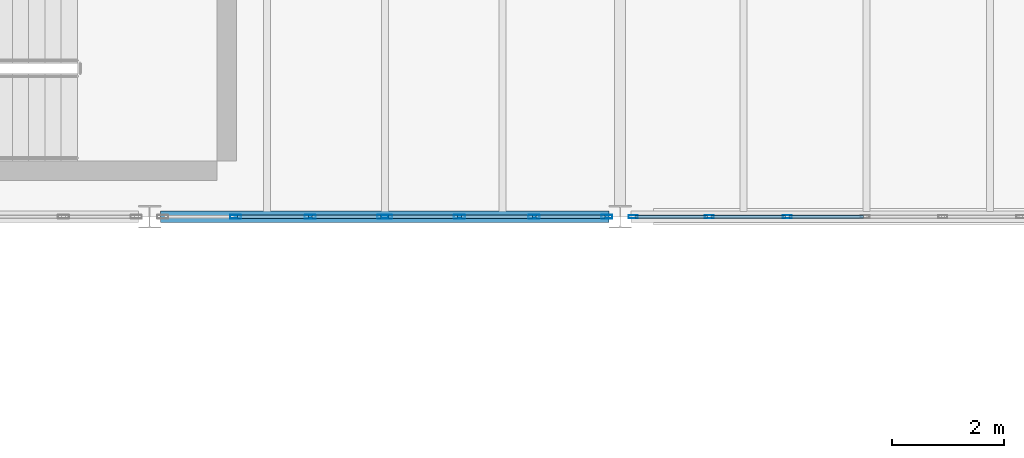
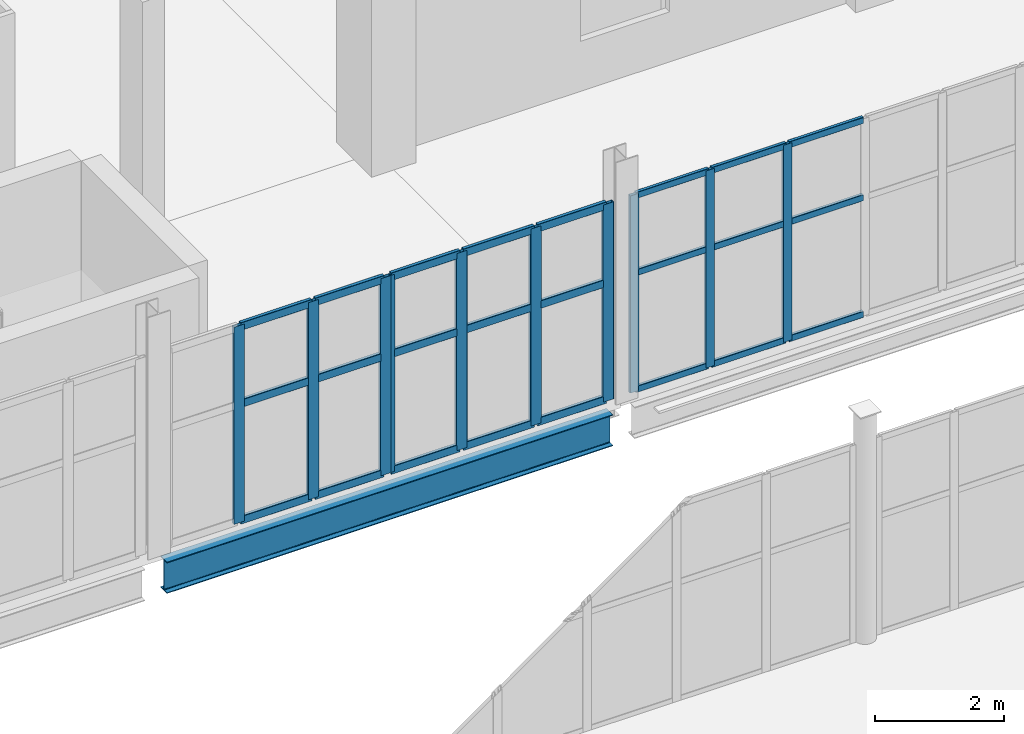
# One storey, part 80 of 172: 34 members, 1 beam, 3 elements without a shape of their own.
"""IFC4 building model written with IfcOpenShell, lengths in metres."""

from ifc_helpers import new_model, si_unit, direction, frame, origin, origin_2d, place, context, subcontext, project, spatial, hollow_rectangle, i_section, extrude, material, material_profile, profile_set, type_object, element, aggregate, save


model = new_model("IFC4")

# Units and contexts
model_context = context("Model", 3, precision=1e-05, world=origin(), true_north=direction((0.0, 1.0)))
body_context = subcontext(model_context, "Body", "Model", "MODEL_VIEW")
ifc_project = project(units=[si_unit("LENGTHUNIT", "METRE"), si_unit("AREAUNIT", "SQUARE_METRE"), si_unit("VOLUMEUNIT", "CUBIC_METRE"), si_unit("PLANEANGLEUNIT", "RADIAN"), si_unit("MASSUNIT", "GRAM", prefix="KILO")], contexts=[model_context])

# Site, building, storey
site_placement = place(None, origin())
site = spatial("IfcSite", under=ifc_project, at=site_placement, CompositionType="ELEMENT")
building_placement = place(site_placement, origin())
building = spatial("IfcBuilding", under=site, at=building_placement, Name="Shengluoqiao Park Theatre", CompositionType="ELEMENT")
storey_placement = place(building_placement, frame((0.0, 0.0, 5.39990234375)))
storey = spatial("IfcBuildingStorey", under=building, at=storey_placement, Name="L01", CompositionType="ELEMENT", Elevation=5.39990234375)

# Curtain wall, members
ifc_material_1 = material(Name="Aluminium 6063-T6", Category="aluminium")
curtain_wall_type_1 = type_object("IfcCurtainWallType", Name="ENV-CW-BRIDGE", PredefinedType="NOTDEFINED", material=ifc_material_1)
curtain_wall_1_placement = place(storey_placement, origin())
curtain_wall_1 = element("IfcCurtainWall", 1, at=curtain_wall_1_placement, inside=storey, type_object=curtain_wall_type_1, Name="L01 Curtain Wall CWX-L01-0091", PredefinedType="NOTDEFINED")
ifc_material_profile_1 = material_profile(ifc_material_1, hollow_rectangle(XDim=0.06005859375, YDim=0.159912109375, WallThickness=0.00390625, InnerFilletRadius=0.00390625, OuterFilletRadius=0.008056640625, at=origin_2d()), Name="ALU MULLION 160x60x4")
ifc_profile_set_1 = profile_set([ifc_material_profile_1], Name="Aluminium 6063-T6")
member_type_1 = type_object("IfcMemberType", Name="ENV-MUL-160", PredefinedType="MULLION", material=ifc_profile_set_1)
member_1_placement = place(storey_placement, frame((86.634033203125, 68.39990234375, 0.0), z_axis=(0.0, 0.0, 1.0), x_axis=(0.0, 1.0, 0.0)))
member_1 = element("IfcMember", 2, at=member_1_placement, type_object=member_type_1, Name="CW-03 mullion 1", PredefinedType="MULLION", context=body_context, shape_type="SweptSolid", body=[
    extrude(hollow_rectangle(XDim=0.06005859375, YDim=0.159912109375, WallThickness=0.00390625, InnerFilletRadius=0.00390625, OuterFilletRadius=0.008056640625, at=origin_2d()), origin(), (0.0, 0.0, 1.0), 3.7421875),
])
member_2_placement = place(storey_placement, frame((87.99365234375, 68.39990234375, 0.0), z_axis=(0.0, 0.0, 1.0), x_axis=(0.0, 1.0, 0.0)))
member_2 = element("IfcMember", 3, at=member_2_placement, type_object=member_type_1, Name="CW-03 mullion 2", PredefinedType="MULLION", context=body_context, shape_type="SweptSolid", body=[
    extrude(hollow_rectangle(XDim=0.06005859375, YDim=0.159912109375, WallThickness=0.00390625, InnerFilletRadius=0.00390625, OuterFilletRadius=0.008056640625, at=origin_2d()), origin(), (0.0, 0.0, 1.0), 3.7421875),
])
member_3_placement = place(storey_placement, frame((89.38330078125, 68.39990234375, 0.0), z_axis=(0.0, 0.0, 1.0), x_axis=(0.0, 1.0, 0.0)))
member_3 = element("IfcMember", 4, at=member_3_placement, type_object=member_type_1, Name="CW-03 mullion 3", PredefinedType="MULLION", context=body_context, shape_type="SweptSolid", body=[
    extrude(hollow_rectangle(XDim=0.06005859375, YDim=0.159912109375, WallThickness=0.00390625, InnerFilletRadius=0.00390625, OuterFilletRadius=0.008056640625, at=origin_2d()), origin(), (0.0, 0.0, 1.0), 3.7421875),
])

curtain_wall_type_2 = type_object("IfcCurtainWallType", Name="ENV-CW-PROM", PredefinedType="NOTDEFINED", material=ifc_material_1)
curtain_wall_2_placement = place(storey_placement, origin())
curtain_wall_2 = element("IfcCurtainWall", 5, at=curtain_wall_2_placement, inside=storey, type_object=curtain_wall_type_2, Name="L01 Curtain Wall CW-L01-0059", PredefinedType="NOTDEFINED")
ifc_material_profile_2 = material_profile(ifc_material_1, hollow_rectangle(XDim=0.06494140625, YDim=0.199951171875, WallThickness=0.0048828125, InnerFilletRadius=0.0048828125, OuterFilletRadius=0.010009765625, at=origin_2d()), Name="ALU MULLION 200x65x5")
ifc_profile_set_2 = profile_set([ifc_material_profile_2], Name="Aluminium 6063-T6")
member_type_2 = type_object("IfcMemberType", Name="ENV-MUL-200", PredefinedType="MULLION", material=ifc_profile_set_2)
member_4_placement = place(storey_placement, frame((79.535888671875, 68.39990234375, 0.0), z_axis=(0.0, 0.0, 1.0), x_axis=(0.0, 1.0, 0.0)))
member_4 = element("IfcMember", 6, at=member_4_placement, type_object=member_type_2, Name="CW-04 mullion 2", PredefinedType="MULLION", context=body_context, shape_type="SweptSolid", body=[
    extrude(hollow_rectangle(XDim=0.06494140625, YDim=0.199951171875, WallThickness=0.0048828125, InnerFilletRadius=0.0048828125, OuterFilletRadius=0.010009765625, at=origin_2d()), origin(), (0.0, 0.0, 1.0), 3.7421875),
])
member_5_placement = place(storey_placement, frame((80.867919921875, 68.39990234375, 0.0), z_axis=(0.0, 0.0, 1.0), x_axis=(0.0, 1.0, 0.0)))
member_5 = element("IfcMember", 7, at=member_5_placement, type_object=member_type_2, Name="CW-04 mullion 3", PredefinedType="MULLION", context=body_context, shape_type="SweptSolid", body=[
    extrude(hollow_rectangle(XDim=0.06494140625, YDim=0.199951171875, WallThickness=0.0048828125, InnerFilletRadius=0.0048828125, OuterFilletRadius=0.010009765625, at=origin_2d()), origin(), (0.0, 0.0, 1.0), 3.7421875),
])
member_6_placement = place(storey_placement, frame((82.16748046875, 68.39990234375, 0.0), z_axis=(0.0, 0.0, 1.0), x_axis=(0.0, 1.0, 0.0)))
member_6 = element("IfcMember", 8, at=member_6_placement, type_object=member_type_2, Name="CW-04 mullion 4", PredefinedType="MULLION", context=body_context, shape_type="SweptSolid", body=[
    extrude(hollow_rectangle(XDim=0.06494140625, YDim=0.199951171875, WallThickness=0.0048828125, InnerFilletRadius=0.0048828125, OuterFilletRadius=0.010009765625, at=origin_2d()), origin(), (0.0, 0.0, 1.0), 3.7421875),
])

curtain_wall_3_placement = place(storey_placement, origin())
curtain_wall_3 = element("IfcCurtainWall", 9, at=curtain_wall_3_placement, inside=storey, type_object=curtain_wall_type_2, Name="L01 Curtain Wall CW-L01-0060", PredefinedType="NOTDEFINED")
member_7_placement = place(storey_placement, frame((82.232421875, 68.39990234375, 0.0), z_axis=(0.0, 0.0, 1.0), x_axis=(0.0, 1.0, 0.0)))
member_7 = element("IfcMember", 10, at=member_7_placement, type_object=member_type_2, Name="CW-04 mullion 1", PredefinedType="MULLION", context=body_context, shape_type="SweptSolid", body=[
    extrude(hollow_rectangle(XDim=0.06494140625, YDim=0.199951171875, WallThickness=0.0048828125, InnerFilletRadius=0.0048828125, OuterFilletRadius=0.010009765625, at=origin_2d()), origin(), (0.0, 0.0, 1.0), 3.7421875),
])
member_8_placement = place(storey_placement, frame((83.531982421875, 68.39990234375, 0.0), z_axis=(0.0, 0.0, 1.0), x_axis=(0.0, 1.0, 0.0)))
member_8 = element("IfcMember", 11, at=member_8_placement, type_object=member_type_2, Name="CW-04 mullion 2", PredefinedType="MULLION", context=body_context, shape_type="SweptSolid", body=[
    extrude(hollow_rectangle(XDim=0.06494140625, YDim=0.199951171875, WallThickness=0.0048828125, InnerFilletRadius=0.0048828125, OuterFilletRadius=0.010009765625, at=origin_2d()), origin(), (0.0, 0.0, 1.0), 3.7421875),
])
member_9_placement = place(storey_placement, frame((84.864013671875, 68.39990234375, 0.0), z_axis=(0.0, 0.0, 1.0), x_axis=(0.0, 1.0, 0.0)))
member_9 = element("IfcMember", 12, at=member_9_placement, type_object=member_type_2, Name="CW-04 mullion 3", PredefinedType="MULLION", context=body_context, shape_type="SweptSolid", body=[
    extrude(hollow_rectangle(XDim=0.06494140625, YDim=0.199951171875, WallThickness=0.0048828125, InnerFilletRadius=0.0048828125, OuterFilletRadius=0.010009765625, at=origin_2d()), origin(), (0.0, 0.0, 1.0), 3.7421875),
])
member_10_placement = place(storey_placement, frame((86.16357421875, 68.39990234375, 0.0), z_axis=(0.0, 0.0, 1.0), x_axis=(0.0, 1.0, 0.0)))
member_10 = element("IfcMember", 13, at=member_10_placement, type_object=member_type_2, Name="CW-04 mullion 4", PredefinedType="MULLION", context=body_context, shape_type="SweptSolid", body=[
    extrude(hollow_rectangle(XDim=0.06494140625, YDim=0.199951171875, WallThickness=0.0048828125, InnerFilletRadius=0.0048828125, OuterFilletRadius=0.010009765625, at=origin_2d()), origin(), (0.0, 0.0, 1.0), 3.7421875),
])

# Member
ifc_material_profile_3 = material_profile(ifc_material_1, hollow_rectangle(XDim=0.06005859375, YDim=0.1201171875, WallThickness=0.00390625, InnerFilletRadius=0.00390625, OuterFilletRadius=0.008056640625, at=origin_2d()), Name="ALU TRANSOM 120x60x4")
ifc_profile_set_3 = profile_set([ifc_material_profile_3], Name="Aluminium 6063-T6")
member_type_3 = type_object("IfcMemberType", Name="ENV-TRN-120", PredefinedType="USERDEFINED", material=ifc_profile_set_3)
member_11_placement = place(storey_placement, frame((86.6640625, 68.39990234375, 0.030029296875), z_axis=(1.0, 0.0, 0.0), x_axis=(0.0, 1.0, 0.0)))
member_11 = element("IfcMember", 14, at=member_11_placement, type_object=member_type_3, Name="CW-03 transom 1.1", ObjectType="TRANSOM", PredefinedType="USERDEFINED", context=body_context, shape_type="SweptSolid", body=[
    extrude(hollow_rectangle(XDim=0.06005859375, YDim=0.1201171875, WallThickness=0.00390625, InnerFilletRadius=0.00390625, OuterFilletRadius=0.008056640625, at=origin_2d()), origin(), (0.0, 0.0, 1.0), 1.299560546875),
])

member_12_placement = place(storey_placement, frame((86.6640625, 68.39990234375, 2.2451171875), z_axis=(1.0, 0.0, 0.0), x_axis=(0.0, 1.0, 0.0)))
member_12 = element("IfcMember", 15, at=member_12_placement, type_object=member_type_3, Name="CW-03 transom 1.2", ObjectType="TRANSOM", PredefinedType="USERDEFINED", context=body_context, shape_type="SweptSolid", body=[
    extrude(hollow_rectangle(XDim=0.06005859375, YDim=0.1201171875, WallThickness=0.00390625, InnerFilletRadius=0.00390625, OuterFilletRadius=0.008056640625, at=origin_2d()), origin(), (0.0, 0.0, 1.0), 1.299560546875),
])

member_13_placement = place(storey_placement, frame((86.6640625, 68.39990234375, 3.712158203125), z_axis=(1.0, 0.0, 0.0), x_axis=(0.0, 1.0, 0.0)))
member_13 = element("IfcMember", 16, at=member_13_placement, type_object=member_type_3, Name="CW-03 transom 1.3", ObjectType="TRANSOM", PredefinedType="USERDEFINED", context=body_context, shape_type="SweptSolid", body=[
    extrude(hollow_rectangle(XDim=0.06005859375, YDim=0.1201171875, WallThickness=0.00390625, InnerFilletRadius=0.00390625, OuterFilletRadius=0.008056640625, at=origin_2d()), origin(), (0.0, 0.0, 1.0), 1.299560546875),
])

member_14_placement = place(storey_placement, frame((88.023681640625, 68.39990234375, 0.030029296875), z_axis=(1.0, 0.0, 0.0), x_axis=(0.0, 1.0, 0.0)))
member_14 = element("IfcMember", 17, at=member_14_placement, type_object=member_type_3, Name="CW-03 transom 2.1", ObjectType="TRANSOM", PredefinedType="USERDEFINED", context=body_context, shape_type="SweptSolid", body=[
    extrude(hollow_rectangle(XDim=0.06005859375, YDim=0.1201171875, WallThickness=0.00390625, InnerFilletRadius=0.00390625, OuterFilletRadius=0.008056640625, at=origin_2d()), origin(), (0.0, 0.0, 1.0), 1.32958984375),
])

member_15_placement = place(storey_placement, frame((88.023681640625, 68.39990234375, 2.2451171875), z_axis=(1.0, 0.0, 0.0), x_axis=(0.0, 1.0, 0.0)))
member_15 = element("IfcMember", 18, at=member_15_placement, type_object=member_type_3, Name="CW-03 transom 2.2", ObjectType="TRANSOM", PredefinedType="USERDEFINED", context=body_context, shape_type="SweptSolid", body=[
    extrude(hollow_rectangle(XDim=0.06005859375, YDim=0.1201171875, WallThickness=0.00390625, InnerFilletRadius=0.00390625, OuterFilletRadius=0.008056640625, at=origin_2d()), origin(), (0.0, 0.0, 1.0), 1.32958984375),
])

member_16_placement = place(storey_placement, frame((88.023681640625, 68.39990234375, 3.712158203125), z_axis=(1.0, 0.0, 0.0), x_axis=(0.0, 1.0, 0.0)))
member_16 = element("IfcMember", 19, at=member_16_placement, type_object=member_type_3, Name="CW-03 transom 2.3", ObjectType="TRANSOM", PredefinedType="USERDEFINED", context=body_context, shape_type="SweptSolid", body=[
    extrude(hollow_rectangle(XDim=0.06005859375, YDim=0.1201171875, WallThickness=0.00390625, InnerFilletRadius=0.00390625, OuterFilletRadius=0.008056640625, at=origin_2d()), origin(), (0.0, 0.0, 1.0), 1.32958984375),
])

member_17_placement = place(storey_placement, frame((89.413330078125, 68.39990234375, 0.030029296875), z_axis=(1.0, 0.0, 0.0), x_axis=(0.0, 1.0, 0.0)))
member_17 = element("IfcMember", 20, at=member_17_placement, type_object=member_type_3, Name="CW-03 transom 3.1", ObjectType="TRANSOM", PredefinedType="USERDEFINED", context=body_context, shape_type="SweptSolid", body=[
    extrude(hollow_rectangle(XDim=0.06005859375, YDim=0.1201171875, WallThickness=0.00390625, InnerFilletRadius=0.00390625, OuterFilletRadius=0.008056640625, at=origin_2d()), origin(), (0.0, 0.0, 1.0), 1.32958984375),
])

member_18_placement = place(storey_placement, frame((89.413330078125, 68.39990234375, 2.2451171875), z_axis=(1.0, 0.0, 0.0), x_axis=(0.0, 1.0, 0.0)))
member_18 = element("IfcMember", 21, at=member_18_placement, type_object=member_type_3, Name="CW-03 transom 3.2", ObjectType="TRANSOM", PredefinedType="USERDEFINED", context=body_context, shape_type="SweptSolid", body=[
    extrude(hollow_rectangle(XDim=0.06005859375, YDim=0.1201171875, WallThickness=0.00390625, InnerFilletRadius=0.00390625, OuterFilletRadius=0.008056640625, at=origin_2d()), origin(), (0.0, 0.0, 1.0), 1.32958984375),
])

member_19_placement = place(storey_placement, frame((89.413330078125, 68.39990234375, 3.712158203125), z_axis=(1.0, 0.0, 0.0), x_axis=(0.0, 1.0, 0.0)))
member_19 = element("IfcMember", 22, at=member_19_placement, type_object=member_type_3, Name="CW-03 transom 3.3", ObjectType="TRANSOM", PredefinedType="USERDEFINED", context=body_context, shape_type="SweptSolid", body=[
    extrude(hollow_rectangle(XDim=0.06005859375, YDim=0.1201171875, WallThickness=0.00390625, InnerFilletRadius=0.00390625, OuterFilletRadius=0.008056640625, at=origin_2d()), origin(), (0.0, 0.0, 1.0), 1.32958984375),
])

aggregate(curtain_wall_1, [member_1, member_2, member_3, member_11, member_12, member_13, member_14, member_15, member_16, member_17, member_18, member_19])

ifc_material_profile_4 = material_profile(ifc_material_1, hollow_rectangle(XDim=0.06494140625, YDim=0.14990234375, WallThickness=0.00390625, InnerFilletRadius=0.00390625, OuterFilletRadius=0.008056640625, at=origin_2d()), Name="ALU TRANSOM 150x65x4")
ifc_profile_set_4 = profile_set([ifc_material_profile_4], Name="Aluminium 6063-T6")
member_type_4 = type_object("IfcMemberType", Name="ENV-TRN-150", PredefinedType="USERDEFINED", material=ifc_profile_set_4)
member_20_placement = place(storey_placement, frame((79.568603515625, 68.39990234375, 0.03271484375), z_axis=(1.0, 0.0, 0.0), x_axis=(0.0, 1.0, 0.0)))
member_20 = element("IfcMember", 23, at=member_20_placement, type_object=member_type_4, Name="CW-04 transom 2.1", ObjectType="TRANSOM", PredefinedType="USERDEFINED", context=body_context, shape_type="SweptSolid", body=[
    extrude(hollow_rectangle(XDim=0.06494140625, YDim=0.14990234375, WallThickness=0.00390625, InnerFilletRadius=0.00390625, OuterFilletRadius=0.008056640625, at=origin_2d()), origin(), (0.0, 0.0, 1.0), 1.266845703125),
])

member_21_placement = place(storey_placement, frame((79.568603515625, 68.39990234375, 2.2451171875), z_axis=(1.0, 0.0, 0.0), x_axis=(0.0, 1.0, 0.0)))
member_21 = element("IfcMember", 24, at=member_21_placement, type_object=member_type_4, Name="CW-04 transom 2.2", ObjectType="TRANSOM", PredefinedType="USERDEFINED", context=body_context, shape_type="SweptSolid", body=[
    extrude(hollow_rectangle(XDim=0.06494140625, YDim=0.14990234375, WallThickness=0.00390625, InnerFilletRadius=0.00390625, OuterFilletRadius=0.008056640625, at=origin_2d()), origin(), (0.0, 0.0, 1.0), 1.266845703125),
])

member_22_placement = place(storey_placement, frame((79.568603515625, 68.39990234375, 3.709716796875), z_axis=(1.0, 0.0, 0.0), x_axis=(0.0, 1.0, 0.0)))
member_22 = element("IfcMember", 25, at=member_22_placement, type_object=member_type_4, Name="CW-04 transom 2.3", ObjectType="TRANSOM", PredefinedType="USERDEFINED", context=body_context, shape_type="SweptSolid", body=[
    extrude(hollow_rectangle(XDim=0.06494140625, YDim=0.14990234375, WallThickness=0.00390625, InnerFilletRadius=0.00390625, OuterFilletRadius=0.008056640625, at=origin_2d()), origin(), (0.0, 0.0, 1.0), 1.266845703125),
])

member_23_placement = place(storey_placement, frame((80.900390625, 68.39990234375, 0.03271484375), z_axis=(1.0, 0.0, 0.0), x_axis=(0.0, 1.0, 0.0)))
member_23 = element("IfcMember", 26, at=member_23_placement, type_object=member_type_4, Name="CW-04 transom 3.1", ObjectType="TRANSOM", PredefinedType="USERDEFINED", context=body_context, shape_type="SweptSolid", body=[
    extrude(hollow_rectangle(XDim=0.06494140625, YDim=0.14990234375, WallThickness=0.00390625, InnerFilletRadius=0.00390625, OuterFilletRadius=0.008056640625, at=origin_2d()), origin(), (0.0, 0.0, 1.0), 1.234619140625),
])

member_24_placement = place(storey_placement, frame((80.900390625, 68.39990234375, 2.2451171875), z_axis=(1.0, 0.0, 0.0), x_axis=(0.0, 1.0, 0.0)))
member_24 = element("IfcMember", 27, at=member_24_placement, type_object=member_type_4, Name="CW-04 transom 3.2", ObjectType="TRANSOM", PredefinedType="USERDEFINED", context=body_context, shape_type="SweptSolid", body=[
    extrude(hollow_rectangle(XDim=0.06494140625, YDim=0.14990234375, WallThickness=0.00390625, InnerFilletRadius=0.00390625, OuterFilletRadius=0.008056640625, at=origin_2d()), origin(), (0.0, 0.0, 1.0), 1.234619140625),
])

member_25_placement = place(storey_placement, frame((80.900390625, 68.39990234375, 3.709716796875), z_axis=(1.0, 0.0, 0.0), x_axis=(0.0, 1.0, 0.0)))
member_25 = element("IfcMember", 28, at=member_25_placement, type_object=member_type_4, Name="CW-04 transom 3.3", ObjectType="TRANSOM", PredefinedType="USERDEFINED", context=body_context, shape_type="SweptSolid", body=[
    extrude(hollow_rectangle(XDim=0.06494140625, YDim=0.14990234375, WallThickness=0.00390625, InnerFilletRadius=0.00390625, OuterFilletRadius=0.008056640625, at=origin_2d()), origin(), (0.0, 0.0, 1.0), 1.234619140625),
])

aggregate(curtain_wall_2, [member_4, member_5, member_6, member_20, member_21, member_22, member_23, member_24, member_25])

member_26_placement = place(storey_placement, frame((82.264892578125, 68.39990234375, 0.03271484375), z_axis=(1.0, 0.0, 0.0), x_axis=(0.0, 1.0, 0.0)))
member_26 = element("IfcMember", 29, at=member_26_placement, type_object=member_type_4, Name="CW-04 transom 1.1", ObjectType="TRANSOM", PredefinedType="USERDEFINED", context=body_context, shape_type="SweptSolid", body=[
    extrude(hollow_rectangle(XDim=0.06494140625, YDim=0.14990234375, WallThickness=0.00390625, InnerFilletRadius=0.00390625, OuterFilletRadius=0.008056640625, at=origin_2d()), origin(), (0.0, 0.0, 1.0), 1.234619140625),
])

member_27_placement = place(storey_placement, frame((82.264892578125, 68.39990234375, 2.2451171875), z_axis=(1.0, 0.0, 0.0), x_axis=(0.0, 1.0, 0.0)))
member_27 = element("IfcMember", 30, at=member_27_placement, type_object=member_type_4, Name="CW-04 transom 1.2", ObjectType="TRANSOM", PredefinedType="USERDEFINED", context=body_context, shape_type="SweptSolid", body=[
    extrude(hollow_rectangle(XDim=0.06494140625, YDim=0.14990234375, WallThickness=0.00390625, InnerFilletRadius=0.00390625, OuterFilletRadius=0.008056640625, at=origin_2d()), origin(), (0.0, 0.0, 1.0), 1.234619140625),
])

member_28_placement = place(storey_placement, frame((82.264892578125, 68.39990234375, 3.709716796875), z_axis=(1.0, 0.0, 0.0), x_axis=(0.0, 1.0, 0.0)))
member_28 = element("IfcMember", 31, at=member_28_placement, type_object=member_type_4, Name="CW-04 transom 1.3", ObjectType="TRANSOM", PredefinedType="USERDEFINED", context=body_context, shape_type="SweptSolid", body=[
    extrude(hollow_rectangle(XDim=0.06494140625, YDim=0.14990234375, WallThickness=0.00390625, InnerFilletRadius=0.00390625, OuterFilletRadius=0.008056640625, at=origin_2d()), origin(), (0.0, 0.0, 1.0), 1.234619140625),
])

member_29_placement = place(storey_placement, frame((83.564453125, 68.39990234375, 0.03271484375), z_axis=(1.0, 0.0, 0.0), x_axis=(0.0, 1.0, 0.0)))
member_29 = element("IfcMember", 32, at=member_29_placement, type_object=member_type_4, Name="CW-04 transom 2.1", ObjectType="TRANSOM", PredefinedType="USERDEFINED", context=body_context, shape_type="SweptSolid", body=[
    extrude(hollow_rectangle(XDim=0.06494140625, YDim=0.14990234375, WallThickness=0.00390625, InnerFilletRadius=0.00390625, OuterFilletRadius=0.008056640625, at=origin_2d()), origin(), (0.0, 0.0, 1.0), 1.26708984375),
])

member_30_placement = place(storey_placement, frame((83.564453125, 68.39990234375, 2.2451171875), z_axis=(1.0, 0.0, 0.0), x_axis=(0.0, 1.0, 0.0)))
member_30 = element("IfcMember", 33, at=member_30_placement, type_object=member_type_4, Name="CW-04 transom 2.2", ObjectType="TRANSOM", PredefinedType="USERDEFINED", context=body_context, shape_type="SweptSolid", body=[
    extrude(hollow_rectangle(XDim=0.06494140625, YDim=0.14990234375, WallThickness=0.00390625, InnerFilletRadius=0.00390625, OuterFilletRadius=0.008056640625, at=origin_2d()), origin(), (0.0, 0.0, 1.0), 1.26708984375),
])

member_31_placement = place(storey_placement, frame((83.564453125, 68.39990234375, 3.709716796875), z_axis=(1.0, 0.0, 0.0), x_axis=(0.0, 1.0, 0.0)))
member_31 = element("IfcMember", 34, at=member_31_placement, type_object=member_type_4, Name="CW-04 transom 2.3", ObjectType="TRANSOM", PredefinedType="USERDEFINED", context=body_context, shape_type="SweptSolid", body=[
    extrude(hollow_rectangle(XDim=0.06494140625, YDim=0.14990234375, WallThickness=0.00390625, InnerFilletRadius=0.00390625, OuterFilletRadius=0.008056640625, at=origin_2d()), origin(), (0.0, 0.0, 1.0), 1.26708984375),
])

member_32_placement = place(storey_placement, frame((84.896484375, 68.39990234375, 0.03271484375), z_axis=(1.0, 0.0, 0.0), x_axis=(0.0, 1.0, 0.0)))
member_32 = element("IfcMember", 35, at=member_32_placement, type_object=member_type_4, Name="CW-04 transom 3.1", ObjectType="TRANSOM", PredefinedType="USERDEFINED", context=body_context, shape_type="SweptSolid", body=[
    extrude(hollow_rectangle(XDim=0.06494140625, YDim=0.14990234375, WallThickness=0.00390625, InnerFilletRadius=0.00390625, OuterFilletRadius=0.008056640625, at=origin_2d()), origin(), (0.0, 0.0, 1.0), 1.234619140625),
])

member_33_placement = place(storey_placement, frame((84.896484375, 68.39990234375, 2.2451171875), z_axis=(1.0, 0.0, 0.0), x_axis=(0.0, 1.0, 0.0)))
member_33 = element("IfcMember", 36, at=member_33_placement, type_object=member_type_4, Name="CW-04 transom 3.2", ObjectType="TRANSOM", PredefinedType="USERDEFINED", context=body_context, shape_type="SweptSolid", body=[
    extrude(hollow_rectangle(XDim=0.06494140625, YDim=0.14990234375, WallThickness=0.00390625, InnerFilletRadius=0.00390625, OuterFilletRadius=0.008056640625, at=origin_2d()), origin(), (0.0, 0.0, 1.0), 1.234619140625),
])

member_34_placement = place(storey_placement, frame((84.896484375, 68.39990234375, 3.709716796875), z_axis=(1.0, 0.0, 0.0), x_axis=(0.0, 1.0, 0.0)))
member_34 = element("IfcMember", 37, at=member_34_placement, type_object=member_type_4, Name="CW-04 transom 3.3", ObjectType="TRANSOM", PredefinedType="USERDEFINED", context=body_context, shape_type="SweptSolid", body=[
    extrude(hollow_rectangle(XDim=0.06494140625, YDim=0.14990234375, WallThickness=0.00390625, InnerFilletRadius=0.00390625, OuterFilletRadius=0.008056640625, at=origin_2d()), origin(), (0.0, 0.0, 1.0), 1.234619140625),
])

aggregate(curtain_wall_3, [member_7, member_8, member_9, member_10, member_26, member_27, member_28, member_29, member_30, member_31, member_32, member_33, member_34])

# Beam
ifc_material_2 = material(Name="Steel Q355", Category="steel")
ifc_material_profile_5 = material_profile(ifc_material_2, i_section(OverallWidth=0.198974609375, OverallDepth=0.595947265625, WebThickness=0.010009765625, FlangeThickness=0.014892578125, FilletRadius=0.02001953125, at=origin_2d()), Name="HN 596x199x10x15")
ifc_profile_set_5 = profile_set([ifc_material_profile_5], Name="Steel Q355")
beam_type = type_object("IfcBeamType", Name="STR-BM-SP-HN596", PredefinedType="SPANDREL", material=ifc_profile_set_5)
beam_placement = place(storey_placement, frame((78.196533203125, 68.39990234375, -0.537841796875), z_axis=(1.0, 0.0, 0.0), x_axis=(0.0, 1.0, 0.0)))
element("IfcBeam", 38, at=beam_placement, inside=storey, type_object=beam_type, Name="L01 Primary Girder 00501", PredefinedType="SPANDREL", context=body_context, shape_type="SweptSolid", body=[
    extrude(i_section(OverallWidth=0.198974609375, OverallDepth=0.595947265625, WebThickness=0.010009765625, FlangeThickness=0.014892578125, FilletRadius=0.02001953125, at=origin_2d()), origin(), (0.0, 0.0, 1.0), 8.007080078125),
])

save(model, "model.ifc")
